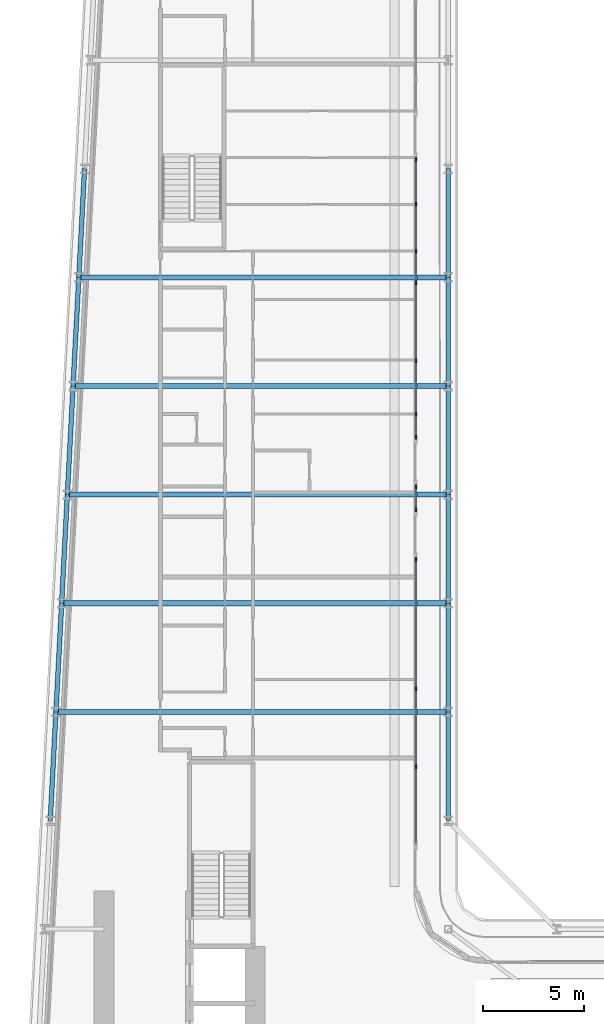
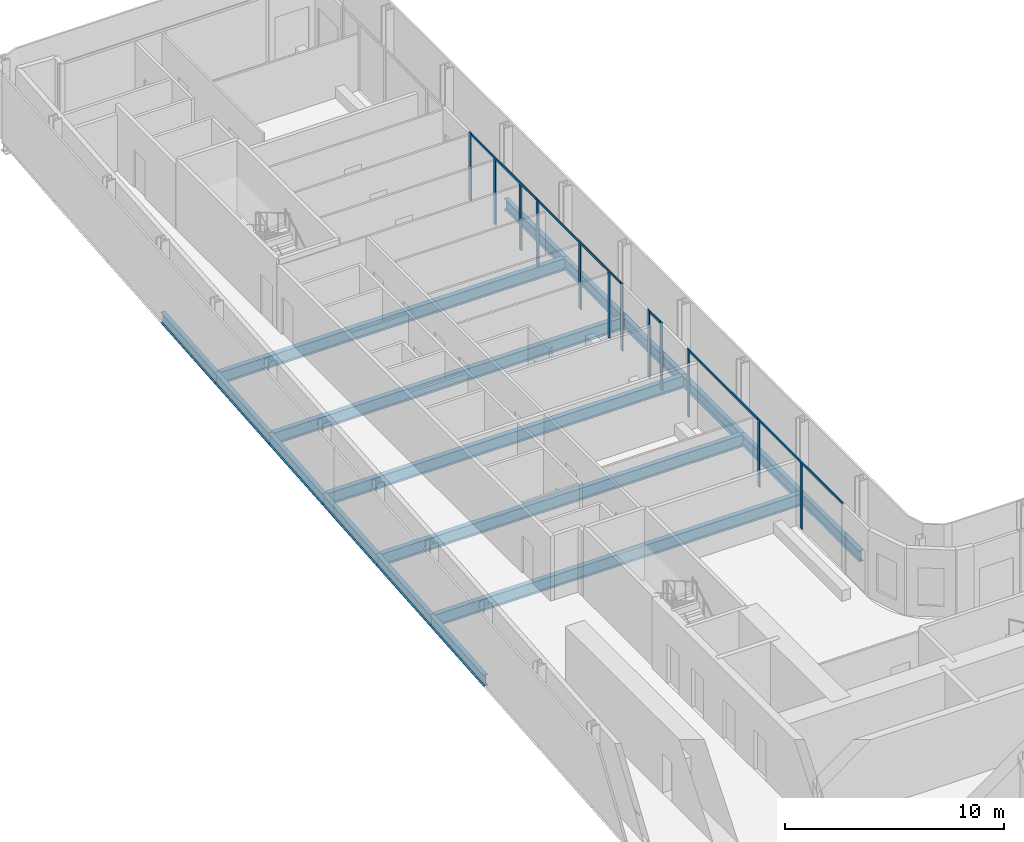
# One storey, part 7 of 27: 17 beams, 17 members, 5 elements without a shape of their own.
"""IFC4 building model written with IfcOpenShell, lengths in metres."""

from ifc_helpers import new_model, si_unit, direction, frame, origin, origin_2d, place, context, subcontext, project, spatial, rectangle, i_section, extrude, material, layer, layer_set, material_profile, profile_set, type_object, element, aggregate, save


model = new_model("IFC4")

# Units and contexts
model_context = context("Model", 3, precision=1e-05, world=origin(), true_north=direction((0.0, 1.0)))
body_context = subcontext(model_context, "Body", "Model", "MODEL_VIEW")
ifc_project = project(units=[si_unit("LENGTHUNIT", "METRE"), si_unit("AREAUNIT", "SQUARE_METRE"), si_unit("VOLUMEUNIT", "CUBIC_METRE"), si_unit("PLANEANGLEUNIT", "RADIAN"), si_unit("MASSUNIT", "GRAM", prefix="KILO")], contexts=[model_context])

# Site, building, storey
site_placement = place(None, origin())
site = spatial("IfcSite", under=ifc_project, at=site_placement, CompositionType="ELEMENT")
building_placement = place(site_placement, origin())
building = spatial("IfcBuilding", under=site, at=building_placement, Name="Kheshtan School and Residences Tower", CompositionType="ELEMENT")
storey_placement = place(building_placement, frame((0.0, 0.0, 50.0)))
storey = spatial("IfcBuildingStorey", under=building, at=storey_placement, Name="L11", CompositionType="ELEMENT", Elevation=50.0)

# Beams
ifc_material_1 = material(Name="Steel ASTM A992 Grade 50", Category="steel")
ifc_material_profile_1 = material_profile(ifc_material_1, i_section(OverallWidth=0.2529296875, OverallDepth=0.677978515625, WebThickness=0.01171875, FlangeThickness=0.016357421875, FilletRadius=0.0146484375, at=origin_2d()), Name="W690x125")
ifc_profile_set_1 = profile_set([ifc_material_profile_1], Name="Steel ASTM A992 Grade 50")
beam_type_1 = type_object("IfcBeamType", Name="Beam FB6 W690x125 ASTM A992 Grade 50", PredefinedType="BEAM", material=ifc_profile_set_1)
beam_1_placement = place(storey_placement, frame((47.60009765625, 72.60009765625, -0.489013671875), z_axis=(-1.0, 0.0, 0.0), x_axis=(0.0, -1.0, 0.0)))
element("IfcBeam", 1, at=beam_1_placement, inside=storey, type_object=beam_type_1, Name="Floor beam C087", PredefinedType="BEAM", context=body_context, shape_type="SweptSolid", body=[
    extrude(i_section(OverallWidth=0.2529296875, OverallDepth=0.677978515625, WebThickness=0.01171875, FlangeThickness=0.016357421875, FilletRadius=0.0146484375, at=origin_2d()), origin(), (0.0, 0.0, 1.0), 18.64208984375),
])
beam_2_placement = place(storey_placement, frame((47.60009765625, 61.800048828125, -0.489013671875), z_axis=(-1.0, 0.0, 0.0), x_axis=(0.0, -1.0, 0.0)))
element("IfcBeam", 2, at=beam_2_placement, inside=storey, type_object=beam_type_1, Name="Floor beam C083", PredefinedType="BEAM", context=body_context, shape_type="SweptSolid", body=[
    extrude(i_section(OverallWidth=0.2529296875, OverallDepth=0.677978515625, WebThickness=0.01171875, FlangeThickness=0.016357421875, FilletRadius=0.0146484375, at=origin_2d()), origin(), (0.0, 0.0, 1.0), 19.210205078125),
])
beam_3_placement = place(storey_placement, frame((28.10595703125, 56.39990234375, -0.489013671875), z_axis=(1.0, 0.0, 0.0), x_axis=(0.0, 1.0, 0.0)))
element("IfcBeam", 3, at=beam_3_placement, inside=storey, type_object=beam_type_1, Name="Floor beam C080", PredefinedType="BEAM", context=body_context, shape_type="SweptSolid", body=[
    extrude(i_section(OverallWidth=0.2529296875, OverallDepth=0.677978515625, WebThickness=0.01171875, FlangeThickness=0.016357421875, FilletRadius=0.0146484375, at=origin_2d()), origin(), (0.0, 0.0, 1.0), 19.494140625),
])
beam_4_placement = place(storey_placement, frame((28.674072265625, 67.199951171875, -0.489013671875), z_axis=(1.0, 0.0, 0.0), x_axis=(0.0, 1.0, 0.0)))
element("IfcBeam", 4, at=beam_4_placement, inside=storey, type_object=beam_type_1, Name="Floor beam C084", PredefinedType="BEAM", context=body_context, shape_type="SweptSolid", body=[
    extrude(i_section(OverallWidth=0.2529296875, OverallDepth=0.677978515625, WebThickness=0.01171875, FlangeThickness=0.016357421875, FilletRadius=0.0146484375, at=origin_2d()), origin(), (0.0, 0.0, 1.0), 18.926025390625),
])
beam_5_placement = place(storey_placement, frame((29.242919921875, 78.0, -0.489013671875), z_axis=(1.0, 0.0, 0.0), x_axis=(0.0, 1.0, 0.0)))
element("IfcBeam", 5, at=beam_5_placement, inside=storey, type_object=beam_type_1, Name="Floor beam C088", PredefinedType="BEAM", context=body_context, shape_type="SweptSolid", body=[
    extrude(i_section(OverallWidth=0.2529296875, OverallDepth=0.677978515625, WebThickness=0.01171875, FlangeThickness=0.016357421875, FilletRadius=0.0146484375, at=origin_2d()), origin(), (0.0, 0.0, 1.0), 18.357177734375),
])
ifc_material_profile_2 = material_profile(ifc_material_1, i_section(OverallWidth=0.22998046875, OverallDepth=0.616943359375, WebThickness=0.01318359375, FlangeThickness=0.022216796875, FilletRadius=0.0185546875, at=origin_2d()), Name="W610x140")
ifc_profile_set_2 = profile_set([ifc_material_profile_2], Name="Steel ASTM A992 Grade 50")
beam_type_2 = type_object("IfcBeamType", Name="Beam SP1 W610x140 ASTM A992 Grade 50", PredefinedType="BEAM", material=ifc_profile_set_2)
for number, where, z_axis, x_axis, name in (
    (6, (47.60009765625, 83.39990234375, -0.45849609375), (0.0, -1.0, 0.0), (1.0, 0.0, 0.0), "Spandrel beam C091-C089"),
    (7, (47.60009765625, 78.0, -0.45849609375), (0.0, -1.0, 0.0), (1.0, 0.0, 0.0), "Spandrel beam C089-C087"),
):
    element("IfcBeam", number, at=place(storey_placement, frame(where, z_axis=z_axis, x_axis=x_axis)), inside=storey, type_object=beam_type_2, Name=name, PredefinedType="BEAM", context=body_context, shape_type="SweptSolid", body=[
        extrude(i_section(OverallWidth=0.22998046875, OverallDepth=0.616943359375, WebThickness=0.01318359375, FlangeThickness=0.022216796875, FilletRadius=0.0185546875, at=origin_2d()), origin(), (0.0, 0.0, 1.0), 5.39990234375),
    ])
beam_6_placement = place(storey_placement, frame((47.60009765625, 72.60009765625, -0.45849609375), z_axis=(0.0, -1.0, 0.0), x_axis=(1.0, 0.0, 0.0)))
element("IfcBeam", 8, at=beam_6_placement, inside=storey, type_object=beam_type_2, Name="Spandrel beam C087-C085", PredefinedType="BEAM", context=body_context, shape_type="SweptSolid", body=[
    extrude(i_section(OverallWidth=0.22998046875, OverallDepth=0.616943359375, WebThickness=0.01318359375, FlangeThickness=0.022216796875, FilletRadius=0.0185546875, at=origin_2d()), origin(), (0.0, 0.0, 1.0), 5.400146484375),
])
beam_7_placement = place(storey_placement, frame((47.60009765625, 67.199951171875, -0.45849609375), z_axis=(0.0, -1.0, 0.0), x_axis=(1.0, 0.0, 0.0)))
element("IfcBeam", 9, at=beam_7_placement, inside=storey, type_object=beam_type_2, Name="Spandrel beam C085-C083", PredefinedType="BEAM", context=body_context, shape_type="SweptSolid", body=[
    extrude(i_section(OverallWidth=0.22998046875, OverallDepth=0.616943359375, WebThickness=0.01318359375, FlangeThickness=0.022216796875, FilletRadius=0.0185546875, at=origin_2d()), origin(), (0.0, 0.0, 1.0), 5.39990234375),
])
beam_8_placement = place(storey_placement, frame((47.60009765625, 61.800048828125, -0.45849609375), z_axis=(0.0, -1.0, 0.0), x_axis=(1.0, 0.0, 0.0)))
element("IfcBeam", 10, at=beam_8_placement, inside=storey, type_object=beam_type_2, Name="Spandrel beam C083-C081", PredefinedType="BEAM", context=body_context, shape_type="SweptSolid", body=[
    extrude(i_section(OverallWidth=0.22998046875, OverallDepth=0.616943359375, WebThickness=0.01318359375, FlangeThickness=0.022216796875, FilletRadius=0.0185546875, at=origin_2d()), origin(), (0.0, 0.0, 1.0), 5.400146484375),
])
beam_9_placement = place(storey_placement, frame((47.60009765625, 56.39990234375, -0.45849609375), z_axis=(0.0, -1.0, 0.0), x_axis=(1.0, 0.0, 0.0)))
element("IfcBeam", 11, at=beam_9_placement, inside=storey, type_object=beam_type_2, Name="Spandrel beam C081-C079", PredefinedType="BEAM", context=body_context, shape_type="SweptSolid", body=[
    extrude(i_section(OverallWidth=0.22998046875, OverallDepth=0.616943359375, WebThickness=0.01318359375, FlangeThickness=0.022216796875, FilletRadius=0.0185546875, at=origin_2d()), origin(), (0.0, 0.0, 1.0), 5.39990234375),
])
beam_10_placement = place(storey_placement, frame((27.822021484375, 51.0, -0.45849609375), z_axis=(0.05250906864, 0.998620447272, 0.0), x_axis=(-0.998620447272, 0.05250906864, 0.0)))
element("IfcBeam", 12, at=beam_10_placement, inside=storey, type_object=beam_type_2, Name="Spandrel beam C078-C080", PredefinedType="BEAM", context=body_context, shape_type="SweptSolid", body=[
    extrude(i_section(OverallWidth=0.22998046875, OverallDepth=0.616943359375, WebThickness=0.01318359375, FlangeThickness=0.022216796875, FilletRadius=0.0185546875, at=origin_2d()), origin(), (0.0, 0.0, 1.0), 5.407470703125),
])
beam_11_placement = place(storey_placement, frame((28.10595703125, 56.39990234375, -0.45849609375), z_axis=(0.05250670125, 0.998620571751, 0.0), x_axis=(-0.998620571751, 0.05250670125, 0.0)))
element("IfcBeam", 13, at=beam_11_placement, inside=storey, type_object=beam_type_2, Name="Spandrel beam C080-C082", PredefinedType="BEAM", context=body_context, shape_type="SweptSolid", body=[
    extrude(i_section(OverallWidth=0.22998046875, OverallDepth=0.616943359375, WebThickness=0.01318359375, FlangeThickness=0.022216796875, FilletRadius=0.0185546875, at=origin_2d()), origin(), (0.0, 0.0, 1.0), 5.40771484375),
])
beam_12_placement = place(storey_placement, frame((28.389892578125, 61.800048828125, -0.45849609375), z_axis=(0.052554093665, 0.998618078766, 0.0), x_axis=(-0.998618078766, 0.052554093665, 0.0)))
element("IfcBeam", 14, at=beam_12_placement, inside=storey, type_object=beam_type_2, Name="Spandrel beam C082-C084", PredefinedType="BEAM", context=body_context, shape_type="SweptSolid", body=[
    extrude(i_section(OverallWidth=0.22998046875, OverallDepth=0.616943359375, WebThickness=0.01318359375, FlangeThickness=0.022216796875, FilletRadius=0.0185546875, at=origin_2d()), origin(), (0.0, 0.0, 1.0), 5.407470703125),
])
beam_13_placement = place(storey_placement, frame((28.674072265625, 67.199951171875, -0.45849609375), z_axis=(0.05250670125, 0.998620571751, 0.0), x_axis=(-0.998620571751, 0.05250670125, 0.0)))
element("IfcBeam", 15, at=beam_13_placement, inside=storey, type_object=beam_type_2, Name="Spandrel beam C084-C086", PredefinedType="BEAM", context=body_context, shape_type="SweptSolid", body=[
    extrude(i_section(OverallWidth=0.22998046875, OverallDepth=0.616943359375, WebThickness=0.01318359375, FlangeThickness=0.022216796875, FilletRadius=0.0185546875, at=origin_2d()), origin(), (0.0, 0.0, 1.0), 5.40771484375),
])
for number, where, z_axis, x_axis, name in (
    (16, (28.9580078125, 72.60009765625, -0.45849609375), (0.052689166816, 0.998610961136, 0.0), (-0.998610961136, 0.052689166816, 0.0), "Spandrel beam C086-C088"),
    (17, (29.242919921875, 78.0, -0.45849609375), (0.052554093665, 0.998618078766, 0.0), (-0.998618078766, 0.052554093665, 0.0), "Spandrel beam C088-C090"),
):
    element("IfcBeam", number, at=place(storey_placement, frame(where, z_axis=z_axis, x_axis=x_axis)), inside=storey, type_object=beam_type_2, Name=name, PredefinedType="BEAM", context=body_context, shape_type="SweptSolid", body=[
        extrude(i_section(OverallWidth=0.22998046875, OverallDepth=0.616943359375, WebThickness=0.01318359375, FlangeThickness=0.022216796875, FilletRadius=0.0185546875, at=origin_2d()), origin(), (0.0, 0.0, 1.0), 5.407470703125),
    ])

# Curtain wall, members
ifc_material_2 = material(Name="Clear low-e glass in thermally broken aluminium frame", Category="aluminium")
ifc_layer = layer(ifc_material_2, 0.199951171875)
ifc_layer_set = layer_set([ifc_layer], Name="Curtain wall CW-L")
curtain_wall_type = type_object("IfcCurtainWallType", Name="Curtain wall CW-L", PredefinedType="NOTDEFINED", material=ifc_layer_set)
curtain_wall_1_placement = place(storey_placement, origin())
curtain_wall_1 = element("IfcCurtainWall", 18, at=curtain_wall_1_placement, inside=storey, type_object=curtain_wall_type, Name="Curtain wall CWL8b", PredefinedType="NOTDEFINED")
ifc_material_3 = material(Name="Thermally broken aluminium, dark bronze anodised", Category="aluminium")
ifc_material_profile_3 = material_profile(ifc_material_3, rectangle(XDim=0.06005859375, YDim=0.199951171875, at=origin_2d()), Name="CW-L mullion 60x200")
ifc_profile_set_3 = profile_set([ifc_material_profile_3], Name="Thermally broken aluminium, dark bronze anodised")
member_type_1 = type_object("IfcMemberType", Name="CW-L mullion 60x200", PredefinedType="MULLION", material=ifc_profile_set_3)
member_1_placement = place(storey_placement, frame((46.0, 83.8759765625, 0.0), z_axis=(0.0, 0.0, 1.0), x_axis=(1.0, 0.0, 0.0)))
member_1 = element("IfcMember", 19, at=member_1_placement, type_object=member_type_1, Name="CWL8b mullion 1", PredefinedType="MULLION", context=body_context, shape_type="SweptSolid", body=[
    extrude(rectangle(XDim=0.06005859375, YDim=0.199951171875, at=origin_2d()), origin(), (0.0, 0.0, 1.0), 3.75),
])
member_2_placement = place(storey_placement, frame((46.0, 81.625, 0.0), z_axis=(0.0, 0.0, 1.0), x_axis=(1.0, 0.0, 0.0)))
member_2 = element("IfcMember", 20, at=member_2_placement, type_object=member_type_1, Name="CWL8b mullion 2", PredefinedType="MULLION", context=body_context, shape_type="SweptSolid", body=[
    extrude(rectangle(XDim=0.06005859375, YDim=0.199951171875, at=origin_2d()), origin(), (0.0, 0.0, 1.0), 3.6298828125),
])
member_3_placement = place(storey_placement, frame((46.0, 79.300048828125, 0.0), z_axis=(0.0, 0.0, 1.0), x_axis=(1.0, 0.0, 0.0)))
member_3 = element("IfcMember", 21, at=member_3_placement, type_object=member_type_1, Name="CWL8b mullion 3", PredefinedType="MULLION", context=body_context, shape_type="SweptSolid", body=[
    extrude(rectangle(XDim=0.06005859375, YDim=0.199951171875, at=origin_2d()), origin(), (0.0, 0.0, 1.0), 3.6298828125),
])
member_4_placement = place(storey_placement, frame((46.0, 77.741943359375, 0.0), z_axis=(0.0, 0.0, 1.0), x_axis=(1.0, 0.0, 0.0)))
member_4 = element("IfcMember", 22, at=member_4_placement, type_object=member_type_1, Name="CWL8b mullion 4", PredefinedType="MULLION", context=body_context, shape_type="SweptSolid", body=[
    extrude(rectangle(XDim=0.06005859375, YDim=0.199951171875, at=origin_2d()), origin(), (0.0, 0.0, 1.0), 3.75),
])

curtain_wall_2_placement = place(storey_placement, origin())
curtain_wall_2 = element("IfcCurtainWall", 23, at=curtain_wall_2_placement, inside=storey, type_object=curtain_wall_type, Name="Curtain wall CWL8c", PredefinedType="NOTDEFINED")
member_5_placement = place(storey_placement, frame((46.0, 73.864990234375, 0.0), z_axis=(0.0, 0.0, 1.0), x_axis=(1.0, 0.0, 0.0)))
member_5 = element("IfcMember", 24, at=member_5_placement, type_object=member_type_1, Name="CWL8c mullion 2", PredefinedType="MULLION", context=body_context, shape_type="SweptSolid", body=[
    extrude(rectangle(XDim=0.06005859375, YDim=0.199951171875, at=origin_2d()), origin(), (0.0, 0.0, 1.0), 3.6298828125),
])
member_6_placement = place(storey_placement, frame((46.0, 71.199951171875, 0.0), z_axis=(0.0, 0.0, 1.0), x_axis=(1.0, 0.0, 0.0)))
member_6 = element("IfcMember", 25, at=member_6_placement, type_object=member_type_1, Name="CWL8c mullion 3", PredefinedType="MULLION", context=body_context, shape_type="SweptSolid", body=[
    extrude(rectangle(XDim=0.06005859375, YDim=0.199951171875, at=origin_2d()), origin(), (0.0, 0.0, 1.0), 3.6298828125),
])
member_7_placement = place(storey_placement, frame((46.0, 70.048095703125, 0.0), z_axis=(0.0, 0.0, 1.0), x_axis=(1.0, 0.0, 0.0)))
member_7 = element("IfcMember", 26, at=member_7_placement, type_object=member_type_1, Name="CWL8c mullion 4", PredefinedType="MULLION", context=body_context, shape_type="SweptSolid", body=[
    extrude(rectangle(XDim=0.06005859375, YDim=0.199951171875, at=origin_2d()), origin(), (0.0, 0.0, 1.0), 3.75),
])

curtain_wall_3_placement = place(storey_placement, origin())
curtain_wall_3 = element("IfcCurtainWall", 27, at=curtain_wall_3_placement, inside=storey, type_object=curtain_wall_type, Name="Curtain wall CWL8g", PredefinedType="NOTDEFINED")
member_8_placement = place(storey_placement, frame((46.0, 67.587890625, 0.0), z_axis=(0.0, 0.0, 1.0), x_axis=(1.0, 0.0, 0.0)))
member_8 = element("IfcMember", 28, at=member_8_placement, type_object=member_type_1, Name="CWL8g mullion 1", PredefinedType="MULLION", context=body_context, shape_type="SweptSolid", body=[
    extrude(rectangle(XDim=0.06005859375, YDim=0.199951171875, at=origin_2d()), origin(), (0.0, 0.0, 1.0), 3.75),
])
member_9_placement = place(storey_placement, frame((46.0, 66.447998046875, 0.0), z_axis=(0.0, 0.0, 1.0), x_axis=(1.0, 0.0, 0.0)))
member_9 = element("IfcMember", 29, at=member_9_placement, type_object=member_type_1, Name="CWL8g mullion 2", PredefinedType="MULLION", context=body_context, shape_type="SweptSolid", body=[
    extrude(rectangle(XDim=0.06005859375, YDim=0.199951171875, at=origin_2d()), origin(), (0.0, 0.0, 1.0), 3.75),
])

curtain_wall_4_placement = place(storey_placement, origin())
curtain_wall_4 = element("IfcCurtainWall", 30, at=curtain_wall_4_placement, inside=storey, type_object=curtain_wall_type, Name="Curtain wall CWL8h", PredefinedType="NOTDEFINED")
member_10_placement = place(storey_placement, frame((46.0, 63.988037109375, 0.0), z_axis=(0.0, 0.0, 1.0), x_axis=(1.0, 0.0, 0.0)))
member_10 = element("IfcMember", 31, at=member_10_placement, type_object=member_type_1, Name="CWL8h mullion 1", PredefinedType="MULLION", context=body_context, shape_type="SweptSolid", body=[
    extrude(rectangle(XDim=0.06005859375, YDim=0.199951171875, at=origin_2d()), origin(), (0.0, 0.0, 1.0), 3.75),
])
member_11_placement = place(storey_placement, frame((46.0, 57.553955078125, 0.0), z_axis=(0.0, 0.0, 1.0), x_axis=(1.0, 0.0, 0.0)))
member_11 = element("IfcMember", 32, at=member_11_placement, type_object=member_type_1, Name="CWL8h mullion 2", PredefinedType="MULLION", context=body_context, shape_type="SweptSolid", body=[
    extrude(rectangle(XDim=0.06005859375, YDim=0.199951171875, at=origin_2d()), origin(), (0.0, 0.0, 1.0), 3.75),
])

# Curtain wall, member
curtain_wall_5_placement = place(storey_placement, origin())
curtain_wall_5 = element("IfcCurtainWall", 33, at=curtain_wall_5_placement, inside=storey, type_object=curtain_wall_type, Name="Curtain wall CWL8", PredefinedType="NOTDEFINED")
member_12_placement = place(storey_placement, frame((46.0, 53.677001953125, 0.0), z_axis=(0.0, 0.0, 1.0), x_axis=(1.0, 0.0, 0.0)))
member_12 = element("IfcMember", 34, at=member_12_placement, type_object=member_type_1, Name="CWL8 mullion 2", PredefinedType="MULLION", context=body_context, shape_type="SweptSolid", body=[
    extrude(rectangle(XDim=0.06005859375, YDim=0.199951171875, at=origin_2d()), origin(), (0.0, 0.0, 1.0), 3.6298828125),
])

# Member
ifc_material_profile_4 = material_profile(ifc_material_3, rectangle(XDim=0.06005859375, YDim=0.1201171875, at=origin_2d()), Name="CW-L transom 60x120")
ifc_profile_set_4 = profile_set([ifc_material_profile_4], Name="Thermally broken aluminium, dark bronze anodised")
member_type_2 = type_object("IfcMemberType", Name="CW-L transom 60x120", PredefinedType="USERDEFINED", material=ifc_profile_set_4)
member_13_placement = place(storey_placement, frame((46.0, 83.845947265625, 3.68994140625), z_axis=(0.0, -1.0, 0.0), x_axis=(1.0, 0.0, 0.0)))
member_13 = element("IfcMember", 35, at=member_13_placement, type_object=member_type_2, Name="CWL8b transom 1", ObjectType="TRANSOM", PredefinedType="USERDEFINED", context=body_context, shape_type="SweptSolid", body=[
    extrude(rectangle(XDim=0.06005859375, YDim=0.1201171875, at=origin_2d()), origin(), (0.0, 0.0, 1.0), 6.073974609375),
])

aggregate(curtain_wall_1, [member_1, member_2, member_3, member_4, member_13])

member_14_placement = place(storey_placement, frame((46.0, 77.7119140625, 3.68994140625), z_axis=(0.0, -1.0, 0.0), x_axis=(1.0, 0.0, 0.0)))
member_14 = element("IfcMember", 36, at=member_14_placement, type_object=member_type_2, Name="CWL8c transom 1", ObjectType="TRANSOM", PredefinedType="USERDEFINED", context=body_context, shape_type="SweptSolid", body=[
    extrude(rectangle(XDim=0.06005859375, YDim=0.1201171875, at=origin_2d()), origin(), (0.0, 0.0, 1.0), 7.634033203125),
])

aggregate(curtain_wall_2, [member_5, member_6, member_7, member_14])

member_15_placement = place(storey_placement, frame((46.0, 67.55810546875, 3.68994140625), z_axis=(0.0, -1.0, 0.0), x_axis=(1.0, 0.0, 0.0)))
member_15 = element("IfcMember", 37, at=member_15_placement, type_object=member_type_2, Name="CWL8g transom 1", ObjectType="TRANSOM", PredefinedType="USERDEFINED", context=body_context, shape_type="SweptSolid", body=[
    extrude(rectangle(XDim=0.06005859375, YDim=0.1201171875, at=origin_2d()), origin(), (0.0, 0.0, 1.0), 1.080078125),
])

aggregate(curtain_wall_3, [member_8, member_9, member_15])

member_16_placement = place(storey_placement, frame((46.0, 63.9580078125, 3.68994140625), z_axis=(0.0, -1.0, 0.0), x_axis=(1.0, 0.0, 0.0)))
member_16 = element("IfcMember", 38, at=member_16_placement, type_object=member_type_2, Name="CWL8h transom 1", ObjectType="TRANSOM", PredefinedType="USERDEFINED", context=body_context, shape_type="SweptSolid", body=[
    extrude(rectangle(XDim=0.06005859375, YDim=0.1201171875, at=origin_2d()), origin(), (0.0, 0.0, 1.0), 6.3740234375),
])

aggregate(curtain_wall_4, [member_10, member_11, member_16])

member_17_placement = place(storey_placement, frame((46.0, 57.52392578125, 3.68994140625), z_axis=(0.0, -1.0, 0.0), x_axis=(1.0, 0.0, 0.0)))
member_17 = element("IfcMember", 39, at=member_17_placement, type_object=member_type_2, Name="CWL8 transom 1", ObjectType="TRANSOM", PredefinedType="USERDEFINED", context=body_context, shape_type="SweptSolid", body=[
    extrude(rectangle(XDim=0.06005859375, YDim=0.1201171875, at=origin_2d()), origin(), (0.0, 0.0, 1.0), 7.634033203125),
])

aggregate(curtain_wall_5, [member_12, member_17])

save(model, "model.ifc")
